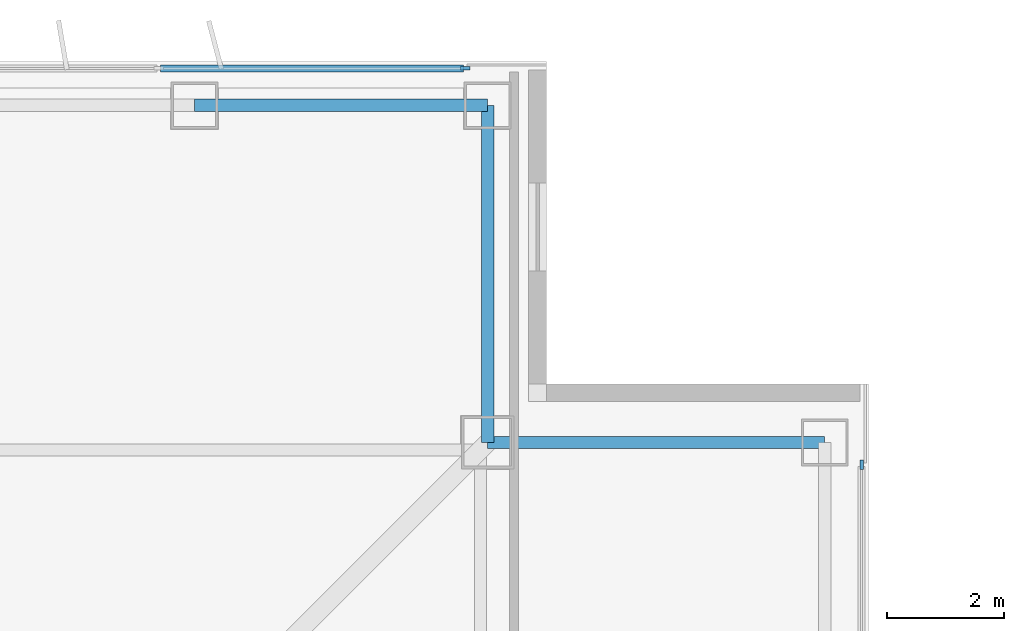
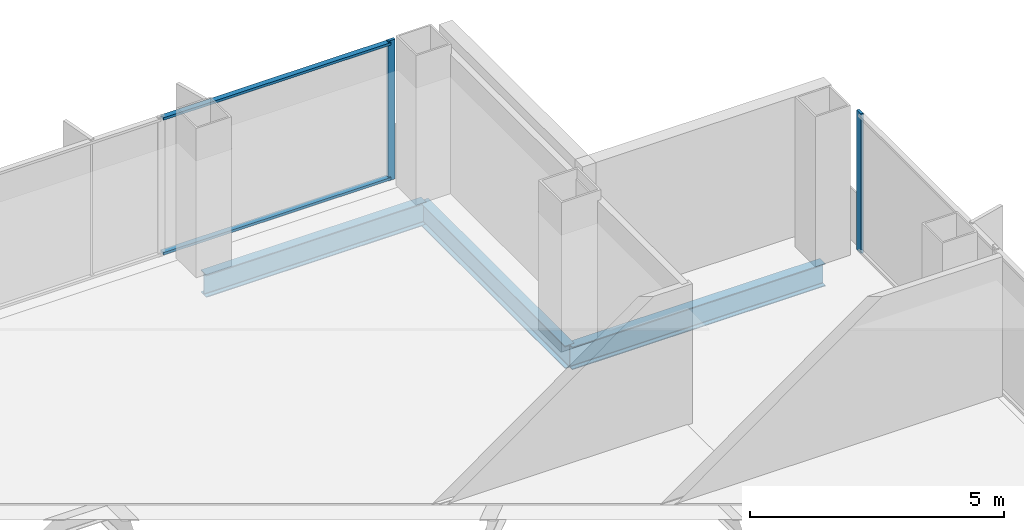
# One storey, part 9 of 15: 4 members, 3 beams, 2 elements without a shape of their own.
"""IFC4 building model written with IfcOpenShell, lengths in metres."""

import ifcopenshell
import ifcopenshell.guid

model = None  # the IFC model being written
_history = None  # IfcOwnerHistory: only IFC2X3 demands one
_inside = {}  # id of a spatial element -> (the spatial element, [elements in it])
_under = {}  # id of a project, library or spatial element -> (it, [spatial elements below it])
_declared = {}  # id of a project -> (the project, [libraries it declares])
_typed = {}  # id of a type object -> (the type object, [elements of that type])
_made_of = {}  # id of a material, layer set ... -> (it, [elements and type objects made of it])


def new_model(schema):
    """Start an empty IFC model of exactly this schema.

    Asked for "IFC4X3", IfcOpenShell would pick the latest addendum, in which some entities
    have other attributes; the version numbers below select the first issue.
    IFC2X3 requires an IfcOwnerHistory on every rooted entity: one is made here for all.
    """
    global model, _history
    if schema == "IFC4X3":
        model = ifcopenshell.file(schema_version=(4, 3, 0, 0))
    else:
        model = ifcopenshell.file(schema=schema)
    _inside.clear()
    _under.clear()
    _declared.clear()
    _typed.clear()
    _made_of.clear()
    _history = None
    if model.schema == "IFC2X3":
        org = make("IfcOrganization", Name="unknown")
        user = make(
            "IfcPersonAndOrganization",
            ThePerson=make("IfcPerson", FamilyName="unknown"),
            TheOrganization=org,
        )
        app = make(
            "IfcApplication",
            ApplicationDeveloper=org,
            Version="unknown",
            ApplicationFullName="unknown",
            ApplicationIdentifier="unknown",
        )
        _history = make(
            "IfcOwnerHistory",
            OwningUser=user,
            OwningApplication=app,
            ChangeAction="ADDED",
            CreationDate=0,
        )
    return model


def make(cls, **values):
    """One entity of the class cls with the attributes given. An attribute that is None is left unset."""
    return model.create_entity(
        cls, **{name: value for name, value in values.items() if value is not None}
    )


def rooted(cls, **values):
    """An entity with a GlobalId (a new one), such as an element, a storey or a relation."""
    return make(cls, GlobalId=ifcopenshell.guid.new(), OwnerHistory=_history, **values)


def si_unit(unit_type, name, prefix=None):
    """IfcSIUnit, for example si_unit("LENGTHUNIT", "METRE", prefix="MILLI")."""
    return make("IfcSIUnit", UnitType=unit_type, Prefix=prefix, Name=name)


def assignment(units):
    """IfcUnitAssignment: the units of a project."""
    return None if units is None else make("IfcUnitAssignment", Units=units)


def point(xyz):
    """IfcCartesianPoint."""
    return None if xyz is None else make("IfcCartesianPoint", Coordinates=xyz)


def direction(xyz):
    """IfcDirection."""
    return None if xyz is None else make("IfcDirection", DirectionRatios=xyz)


def frame(location, z_axis=None, x_axis=None):
    """IfcAxis2Placement3D, a coordinate frame: its origin and axes. An axis left out is left unset."""
    return make(
        "IfcAxis2Placement3D",
        Location=point(location),
        Axis=direction(z_axis),
        RefDirection=direction(x_axis),
    )


def frame_2d(location, x_axis=None):
    """IfcAxis2Placement2D, a coordinate frame in the plane: its origin and x axis."""
    return make(
        "IfcAxis2Placement2D", Location=point(location), RefDirection=direction(x_axis)
    )


def origin():
    """The frame at (0, 0, 0) with its axes left unset."""
    return frame((0.0, 0.0, 0.0))


def origin_2d():
    """The frame at (0, 0) in the plane with its x axis left unset."""
    return frame_2d((0.0, 0.0))


def place(relative_to, where):
    """IfcLocalPlacement: puts the frame where relative to a parent placement (None: the world)."""
    return make(
        "IfcLocalPlacement", PlacementRelTo=relative_to, RelativePlacement=where
    )


def context(
    kind, dimensions, precision=None, world=None, true_north=None, identifier=None
):
    """IfcGeometricRepresentationContext, for example the 3D "Model" context."""
    return make(
        "IfcGeometricRepresentationContext",
        ContextIdentifier=identifier,
        ContextType=kind,
        CoordinateSpaceDimension=dimensions,
        Precision=precision,
        WorldCoordinateSystem=world,
        TrueNorth=true_north,
    )


def subcontext(parent, identifier, kind, view, scale=None):
    """IfcGeometricRepresentationSubContext, for example "Body" below "Model"."""
    return make(
        "IfcGeometricRepresentationSubContext",
        ContextIdentifier=identifier,
        ContextType=kind,
        ParentContext=parent,
        TargetScale=scale,
        TargetView=view,
    )


def project(units=None, contexts=None):
    """IfcProject with its units and contexts."""
    return rooted(
        "IfcProject",
        Name="project",
        RepresentationContexts=contexts,
        UnitsInContext=assignment(units),
    )


def spatial(cls, under=None, at=None, **own):
    """A site, building, storey or space (cls), placed at a placement, below another one or the project."""
    s = rooted(cls, ObjectPlacement=at, **own)
    if under is not None:
        _under.setdefault(under.id(), (under, []))[1].append(s)
    return s


def profile(cls, at=None, kind="AREA", **sizes):
    """A parametric profile (cls). Its sizes go by their IFC names, for example OverallWidth=200.0."""
    return make(cls, ProfileType=kind, Position=at, **sizes)


def rectangle(**sizes):
    """IfcRectangleProfileDef."""
    return profile("IfcRectangleProfileDef", **sizes)


def i_section(**sizes):
    """IfcIShapeProfileDef."""
    return profile("IfcIShapeProfileDef", **sizes)


def extrude(swept, where, along, depth):
    """IfcExtrudedAreaSolid: the profile swept, set in the frame where, extruded along a direction by depth."""
    return make(
        "IfcExtrudedAreaSolid",
        SweptArea=swept,
        Position=where,
        ExtrudedDirection=direction(along),
        Depth=depth,
    )


def shape(context_of_items, identifier, shape_type, items):
    """IfcShapeRepresentation: the items that make up one representation, for example the "Body"."""
    return make(
        "IfcShapeRepresentation",
        ContextOfItems=context_of_items,
        RepresentationIdentifier=identifier,
        RepresentationType=shape_type,
        Items=items,
    )


def material(Name=None, Category=None):
    """IfcMaterial."""
    return make("IfcMaterial", Name=Name, Category=Category)


def layer(
    of_material, thickness, ventilated=None, Name=None, Category=None, Priority=None
):
    """IfcMaterialLayer: one layer of a wall or slab, of a material (None: an air gap)."""
    return make(
        "IfcMaterialLayer",
        Material=of_material,
        LayerThickness=thickness,
        IsVentilated=ventilated,
        Name=Name,
        Category=Category,
        Priority=Priority,
    )


def layer_set(layers, Name=None):
    """IfcMaterialLayerSet."""
    return make("IfcMaterialLayerSet", MaterialLayers=layers, LayerSetName=Name)


def material_profile(
    of_material, cross_section, Name=None, Category=None, Priority=None
):
    """IfcMaterialProfile: a cross section and its material."""
    return make(
        "IfcMaterialProfile",
        Name=Name,
        Material=of_material,
        Profile=cross_section,
        Priority=Priority,
        Category=Category,
    )


def profile_set(profiles, Name=None, composite=None):
    """IfcMaterialProfileSet."""
    return make(
        "IfcMaterialProfileSet",
        Name=Name,
        MaterialProfiles=profiles,
        CompositeProfile=composite,
    )


def made_of(thing, what):
    """Note that an element or type object is made of a material, layer set ...; save() writes the relation."""
    if what is not None:
        _made_of.setdefault(what.id(), (what, []))[1].append(thing)
    return thing


def type_object(cls, material=None, **own):
    """A type object (cls), such as IfcWallType, which elements share."""
    return made_of(rooted(cls, **own), material)


def element(
    cls,
    number,
    at=None,
    inside=None,
    cuts=None,
    type_object=None,
    material=None,
    context=None,
    identifier="Body",
    shape_type=None,
    held_by="IfcProductDefinitionShape",
    body=None,
    shapes=None,
    **own,
):
    """One element of the class cls, such as IfcWall. Its Tag is "e" and its number.

    at: its placement. inside: the storey or other place that contains it. cuts: it is an
    opening in that element (IfcRelVoidsElement). A single representation is given by context,
    identifier, shape_type and body (its items); several are given by shapes. held_by: the class
    of the entity that holds the representations. save() writes the other relations.
    """
    e = rooted(cls, Tag="e%d" % number, ObjectPlacement=at, **own)
    if body is not None:
        shapes = [shape(context, identifier, shape_type, body)]
    if shapes is not None:
        e.Representation = make(held_by, Representations=shapes)
    if inside is not None:
        _inside.setdefault(inside.id(), (inside, []))[1].append(e)
    if cuts is not None:
        rooted(
            "IfcRelVoidsElement", RelatingBuildingElement=cuts, RelatedOpeningElement=e
        )
    if type_object is not None:
        _typed.setdefault(type_object.id(), (type_object, []))[1].append(e)
    return made_of(e, material)


def aggregate(whole, parts):
    """IfcRelAggregates: a whole, such as a stair, and the parts it consists of."""
    return rooted("IfcRelAggregates", RelatingObject=whole, RelatedObjects=parts)


def save(model, path):
    """Write the relations noted so far, then the file.

    IfcRelAggregates (storeys below a building ...), IfcRelContainedInSpatialStructure (elements
    in a storey), IfcRelDefinesByType, IfcRelAssociatesMaterial and IfcRelDeclares: one each for
    every whole, place, type object, material and project.
    """
    for whole, parts in _under.values():
        aggregate(whole, parts)
    for where, things in _inside.values():
        rooted(
            "IfcRelContainedInSpatialStructure",
            RelatedElements=things,
            RelatingStructure=where,
        )
    for kind, things in _typed.values():
        rooted("IfcRelDefinesByType", RelatedObjects=things, RelatingType=kind)
    for what, things in _made_of.values():
        rooted("IfcRelAssociatesMaterial", RelatedObjects=things, RelatingMaterial=what)
    for by, libraries in _declared.values():
        rooted("IfcRelDeclares", RelatingContext=by, RelatedDefinitions=libraries)
    model.write(path)


model = new_model("IFC4")

# Units and contexts
model_context = context("Model", 3, precision=1e-05, world=origin(), true_north=direction((0.0, 1.0)))
body_context = subcontext(model_context, "Body", "Model", "MODEL_VIEW")
ifc_project = project(units=[si_unit("LENGTHUNIT", "METRE"), si_unit("AREAUNIT", "SQUARE_METRE"), si_unit("VOLUMEUNIT", "CUBIC_METRE"), si_unit("PLANEANGLEUNIT", "RADIAN"), si_unit("MASSUNIT", "GRAM", prefix="KILO")], contexts=[model_context])

# Site, building, storey
site_placement = place(None, origin())
site = spatial("IfcSite", under=ifc_project, at=site_placement, CompositionType="ELEMENT")
building_placement = place(site_placement, origin())
building = spatial("IfcBuilding", under=site, at=building_placement, Name="Trevonay Congress Spire", CompositionType="ELEMENT")
storey_placement = place(building_placement, frame((0.0, 0.0, 216.60009765625)))
storey = spatial("IfcBuildingStorey", under=building, at=storey_placement, Name="L56", CompositionType="ELEMENT", Elevation=216.60009765625)

# Beams
ifc_material_1 = material(Name="Steel ASTM A572 Grade 50", Category="steel")
ifc_material_profile_1 = material_profile(ifc_material_1, i_section(OverallWidth=0.2119140625, OverallDepth=0.5439453125, WebThickness=0.01318359375, FlangeThickness=0.021240234375, FilletRadius=0.014892578125, at=origin_2d()), Name="W530x123")
ifc_profile_set_1 = profile_set([ifc_material_profile_1], Name="Steel ASTM A572 Grade 50")
beam_type = type_object("IfcBeamType", Name="BM-RING-W530X123", PredefinedType="BEAM", material=ifc_profile_set_1)
beam_placement = place(storey_placement, frame((8.5, 19.25, -0.51220703125), z_axis=(1.0, 0.0, 0.0), x_axis=(0.0, 1.0, 0.0)))
element("IfcBeam", 1, at=beam_placement, inside=storey, type_object=beam_type, Name="L56 structural beam BM-L56-PN5", PredefinedType="BEAM", context=body_context, shape_type="SweptSolid", body=[
    extrude(i_section(OverallWidth=0.2119140625, OverallDepth=0.5439453125, WebThickness=0.01318359375, FlangeThickness=0.021240234375, FilletRadius=0.014892578125, at=origin_2d()), origin(), (0.0, 0.0, 1.0), 5.0),
])
for number, where, z_axis, x_axis, name in (
    (2, (13.5, 19.25, -0.51220703125), (0.0, -1.0, 0.0), (1.0, 0.0, 0.0), "L56 structural beam BM-L56-N1NE"),
    (3, (19.25, 13.5, -0.51220703125), (-1.0, 0.0, 0.0), (0.0, -1.0, 0.0), "L56 structural beam BM-L56-N2NE"),
):
    element("IfcBeam", number, at=place(storey_placement, frame(where, z_axis=z_axis, x_axis=x_axis)), inside=storey, type_object=beam_type, Name=name, PredefinedType="BEAM", context=body_context, shape_type="SweptSolid", body=[
        extrude(i_section(OverallWidth=0.2119140625, OverallDepth=0.5439453125, WebThickness=0.01318359375, FlangeThickness=0.021240234375, FilletRadius=0.014892578125, at=origin_2d()), origin(), (0.0, 0.0, 1.0), 5.75),
    ])

# Curtain wall, member
ifc_material_2 = material(Name="Pale Anodised Aluminium EN AW-6063-T6", Category="aluminium")
ifc_layer = layer(ifc_material_2, 0.169921875, Name="Pale Anodised Aluminium EN AW-6063-T6")
ifc_layer_set = layer_set([ifc_layer], Name="Pale Anodised Aluminium EN AW-6063-T6")
curtain_wall_type = type_object("IfcCurtainWallType", Name="CW-SYS04-CORP-PALE-METAL", PredefinedType="NOTDEFINED", material=ifc_layer_set)
curtain_wall_1_placement = place(storey_placement, origin())
curtain_wall_1 = element("IfcCurtainWall", 4, at=curtain_wall_1_placement, inside=storey, type_object=curtain_wall_type, Name="L56 N unitised curtain wall", PredefinedType="NOTDEFINED")
ifc_material_profile_2 = material_profile(ifc_material_2, rectangle(XDim=0.06005859375, YDim=0.159912109375, at=origin_2d()), Name="CW-MULLION-160-ALUMINIUM")
ifc_profile_set_2 = profile_set([ifc_material_profile_2], Name="Pale Anodised Aluminium EN AW-6063-T6")
member_type_1 = type_object("IfcMemberType", Name="CW-MULLION-160-ALUMINIUM", PredefinedType="MULLION", material=ifc_profile_set_2)
member_1_placement = place(storey_placement, frame((13.1201171875, 19.8798828125, 0.0), z_axis=(0.0, 0.0, 1.0), x_axis=(0.0, 1.0, 0.0)))
member_1 = element("IfcMember", 5, at=member_1_placement, type_object=member_type_1, Name="CW04 mullion 6", PredefinedType="MULLION", context=body_context, shape_type="SweptSolid", body=[
    extrude(rectangle(XDim=0.06005859375, YDim=0.159912109375, at=origin_2d()), origin(), (0.0, 0.0, 1.0), 3.35986328125),
])

curtain_wall_2_placement = place(storey_placement, origin())
curtain_wall_2 = element("IfcCurtainWall", 6, at=curtain_wall_2_placement, inside=storey, type_object=curtain_wall_type, Name="L56 EB unitised curtain wall", PredefinedType="NOTDEFINED")
member_2_placement = place(storey_placement, frame((19.8798828125, 13.1201171875, 0.0), z_axis=(0.0, 0.0, 1.0), x_axis=(-1.0, 0.0, 0.0)))
member_2 = element("IfcMember", 7, at=member_2_placement, type_object=member_type_1, Name="CW04 mullion 3", PredefinedType="MULLION", context=body_context, shape_type="SweptSolid", body=[
    extrude(rectangle(XDim=0.06005859375, YDim=0.159912109375, at=origin_2d()), origin(), (0.0, 0.0, 1.0), 3.35986328125),
])
aggregate(curtain_wall_2, [member_2])

# Member
ifc_material_profile_3 = material_profile(ifc_material_2, rectangle(XDim=0.1201171875, YDim=0.06005859375, at=origin_2d()), Name="CW-TRANSOM-120-ALUMINIUM")
ifc_profile_set_3 = profile_set([ifc_material_profile_3], Name="Pale Anodised Aluminium EN AW-6063-T6")
member_type_2 = type_object("IfcMemberType", Name="CW-TRANSOM-120-ALUMINIUM", PredefinedType="USERDEFINED", material=ifc_profile_set_3)
member_3_placement = place(storey_placement, frame((7.919921875, 19.8798828125, 0.059814453125), z_axis=(1.0, 0.0, 0.0), x_axis=(0.0, 1.0, 0.0)))
member_3 = element("IfcMember", 8, at=member_3_placement, type_object=member_type_2, Name="CW04 transom 5.1", ObjectType="TRANSOM", PredefinedType="USERDEFINED", context=body_context, shape_type="SweptSolid", body=[
    extrude(rectangle(XDim=0.1201171875, YDim=0.06005859375, at=origin_2d()), origin(), (0.0, 0.0, 1.0), 5.170166015625),
])

member_4_placement = place(storey_placement, frame((7.919921875, 19.8798828125, 3.2998046875), z_axis=(1.0, 0.0, 0.0), x_axis=(0.0, 1.0, 0.0)))
member_4 = element("IfcMember", 9, at=member_4_placement, type_object=member_type_2, Name="CW04 transom 5.2", ObjectType="TRANSOM", PredefinedType="USERDEFINED", context=body_context, shape_type="SweptSolid", body=[
    extrude(rectangle(XDim=0.1201171875, YDim=0.06005859375, at=origin_2d()), origin(), (0.0, 0.0, 1.0), 5.170166015625),
])

aggregate(curtain_wall_1, [member_1, member_3, member_4])

save(model, "model.ifc")
